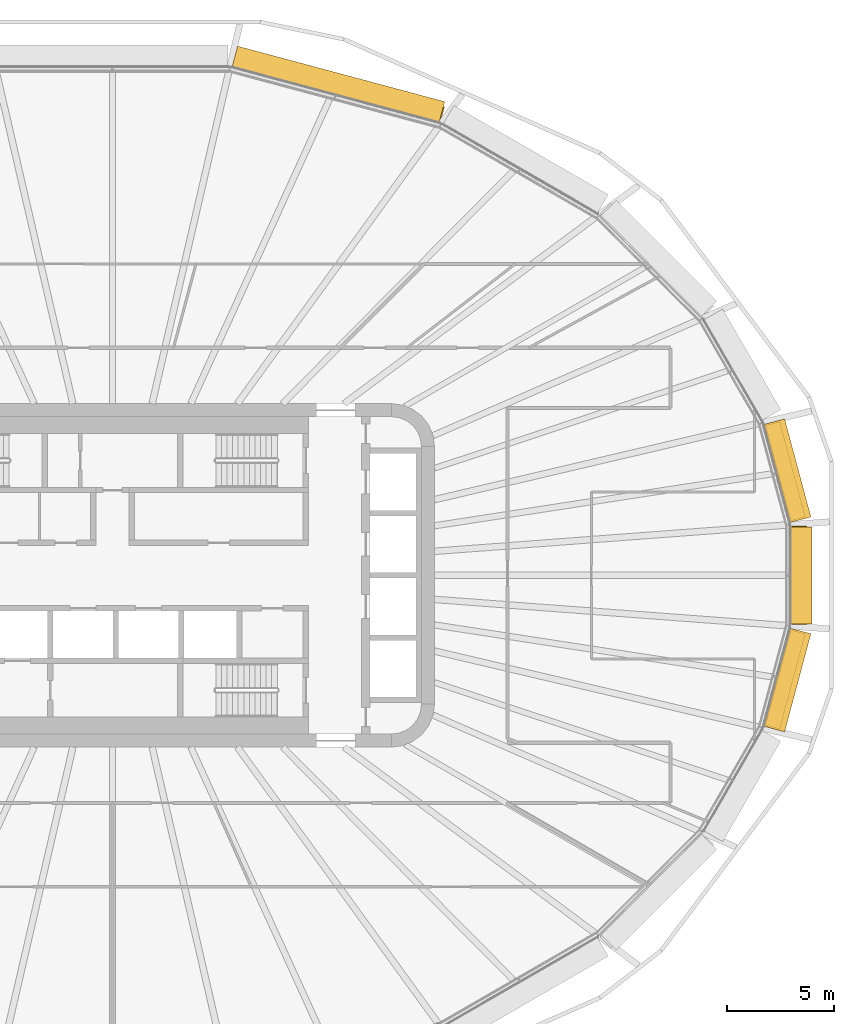
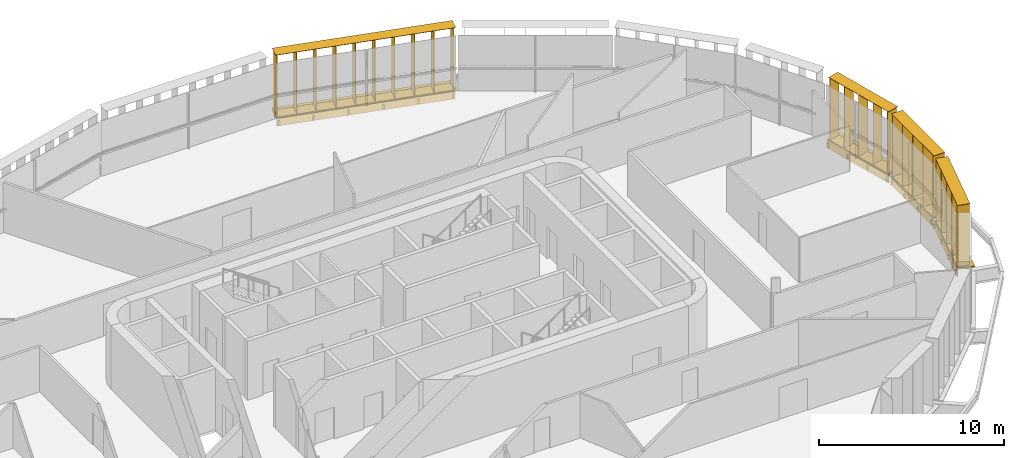
# One storey, part 25 of 25: 8 shading devices.
"""IFC4 building model written with IfcOpenShell, lengths in metres."""

from ifc_helpers import new_model, si_unit, direction, frame, origin, origin_2d, place, context, subcontext, project, spatial, rectangle, extrude, material, type_object, element, save


model = new_model("IFC4")

# Units and contexts
model_context = context("Model", 3, precision=1e-05, world=origin(), true_north=direction((0.0, 1.0)))
body_context = subcontext(model_context, "Body", "Model", "MODEL_VIEW")
ifc_project = project(units=[si_unit("LENGTHUNIT", "METRE"), si_unit("AREAUNIT", "SQUARE_METRE"), si_unit("VOLUMEUNIT", "CUBIC_METRE"), si_unit("PLANEANGLEUNIT", "RADIAN"), si_unit("MASSUNIT", "GRAM", prefix="KILO")], contexts=[model_context])

# Site, building, storey
site_placement = place(None, origin())
site = spatial("IfcSite", under=ifc_project, at=site_placement, CompositionType="ELEMENT")
building_placement = place(site_placement, origin())
building = spatial("IfcBuilding", under=site, at=building_placement, Name="Sahrelin Media Tower", CompositionType="ELEMENT")
storey_placement = place(building_placement, frame((0.0, 0.0, 135.60009765625)))
storey = spatial("IfcBuildingStorey", under=building, at=storey_placement, Name="L27", CompositionType="ELEMENT", Elevation=135.60009765625)

# Shading devices
ifc_material = material(Name="Champagne anodised aluminium 6063-T6", Category="aluminium")
shading_device_type_1 = type_object("IfcShadingDeviceType", Name="Fin cassette", PredefinedType="USERDEFINED", material=ifc_material)
placement_1 = place(storey_placement, frame((31.57861328125, 0.0, 0.0), z_axis=(0.0, 0.0, 1.0), x_axis=(0.0, -1.0, 0.0)))
element("IfcShadingDevice", 1, at=placement_1, inside=storey, type_object=shading_device_type_1, Name="L27:FIN:L27-00", ObjectType="FIN", PredefinedType="USERDEFINED", context=body_context, shape_type="SweptSolid", body=[
    extrude(rectangle(XDim=4.60009765625, YDim=0.699951171875, at=origin_2d()), frame((0.0, 0.419921875, 0.0)), (0.0, 0.0, 1.0), 0.02001953125),
    extrude(rectangle(XDim=4.60009765625, YDim=0.699951171875, at=origin_2d()), frame((0.0, 0.419921875, 4.10009765625)), (0.0, 0.0, 1.0), 0.02001953125),
    extrude(rectangle(XDim=0.02001953125, YDim=0.699951171875, at=origin_2d()), frame((-2.199951171875, 0.419921875, 0.010009765625), z_axis=(0.0, 0.0, 1.0), x_axis=(1.0, 0.0, 0.0)), (0.0, 0.0, 1.0), 4.10009765625),
    extrude(rectangle(XDim=0.02001953125, YDim=0.699951171875, at=origin_2d()), frame((-1.10009765625, 0.419921875, 0.010009765625), z_axis=(0.0, 0.0, 1.0), x_axis=(1.0, 0.0, 0.0)), (0.0, 0.0, 1.0), 4.10009765625),
    extrude(rectangle(XDim=0.02001953125, YDim=0.699951171875, at=origin_2d()), frame((0.0, 0.419921875, 0.010009765625), z_axis=(0.0, 0.0, 1.0), x_axis=(1.0, 0.0, 0.0)), (0.0, 0.0, 1.0), 4.10009765625),
    extrude(rectangle(XDim=0.02001953125, YDim=0.699951171875, at=origin_2d()), frame((1.10009765625, 0.419921875, 0.010009765625), z_axis=(0.0, 0.0, 1.0), x_axis=(1.0, 0.0, 0.0)), (0.0, 0.0, 1.0), 4.10009765625),
    extrude(rectangle(XDim=0.02001953125, YDim=0.699951171875, at=origin_2d()), frame((2.199951171875, 0.419921875, 0.010009765625), z_axis=(0.0, 0.0, 1.0), x_axis=(1.0, 0.0, 0.0)), (0.0, 0.0, 1.0), 4.10009765625),
])
placement_2 = place(storey_placement, frame((30.940185546875, 4.7412109375, 0.0), z_axis=(0.0, 0.0, 1.0), x_axis=(0.258807731996, -0.965928857556, 0.0)))
element("IfcShadingDevice", 2, at=placement_2, inside=storey, type_object=shading_device_type_1, Name="L27:FIN:L27-01", ObjectType="FIN", PredefinedType="USERDEFINED", context=body_context, shape_type="SweptSolid", body=[
    extrude(rectangle(XDim=4.60009765625, YDim=0.699951171875, at=origin_2d()), frame((0.0, 0.419921875, 0.0)), (0.0, 0.0, 1.0), 0.02001953125),
    extrude(rectangle(XDim=4.60009765625, YDim=0.699951171875, at=origin_2d()), frame((0.0, 0.419921875, 4.10009765625)), (0.0, 0.0, 1.0), 0.02001953125),
    extrude(rectangle(XDim=0.02001953125, YDim=0.699951171875, at=origin_2d()), frame((-2.199951171875, 0.419921875, 0.010009765625), z_axis=(0.0, 0.0, 1.0), x_axis=(1.0, 0.0, 0.0)), (0.0, 0.0, 1.0), 4.10009765625),
    extrude(rectangle(XDim=0.02001953125, YDim=0.699951171875, at=origin_2d()), frame((-1.10009765625, 0.419921875, 0.010009765625), z_axis=(0.0, 0.0, 1.0), x_axis=(1.0, 0.0, 0.0)), (0.0, 0.0, 1.0), 4.10009765625),
    extrude(rectangle(XDim=0.02001953125, YDim=0.699951171875, at=origin_2d()), frame((0.0, 0.419921875, 0.010009765625), z_axis=(0.0, 0.0, 1.0), x_axis=(1.0, 0.0, 0.0)), (0.0, 0.0, 1.0), 4.10009765625),
    extrude(rectangle(XDim=0.02001953125, YDim=0.699951171875, at=origin_2d()), frame((1.10009765625, 0.419921875, 0.010009765625), z_axis=(0.0, 0.0, 1.0), x_axis=(1.0, 0.0, 0.0)), (0.0, 0.0, 1.0), 4.10009765625),
    extrude(rectangle(XDim=0.02001953125, YDim=0.699951171875, at=origin_2d()), frame((2.199951171875, 0.419921875, 0.010009765625), z_axis=(0.0, 0.0, 1.0), x_axis=(1.0, 0.0, 0.0)), (0.0, 0.0, 1.0), 4.10009765625),
])
placement_3 = place(storey_placement, frame((10.389404296875, 22.377197265625, 0.0), z_axis=(0.0, 0.0, 1.0), x_axis=(0.965928857556, -0.258807731996, 0.0)))
element("IfcShadingDevice", 3, at=placement_3, inside=storey, type_object=shading_device_type_1, Name="L27:FIN:L27-05", ObjectType="FIN", PredefinedType="USERDEFINED", context=body_context, shape_type="SweptSolid", body=[
    extrude(rectangle(XDim=10.10009765625, YDim=0.699951171875, at=origin_2d()), frame((0.0, 0.419921875, 0.0)), (0.0, 0.0, 1.0), 0.02001953125),
    extrude(rectangle(XDim=10.10009765625, YDim=0.699951171875, at=origin_2d()), frame((0.0, 0.419921875, 4.10009765625)), (0.0, 0.0, 1.0), 0.02001953125),
    extrude(rectangle(XDim=0.02001953125, YDim=0.699951171875, at=origin_2d()), frame((-4.949951171875, 0.419921875, 0.010009765625), z_axis=(0.0, 0.0, 1.0), x_axis=(1.0, 0.0, 0.0)), (0.0, 0.0, 1.0), 4.10009765625),
    extrude(rectangle(XDim=0.02001953125, YDim=0.699951171875, at=origin_2d()), frame((-3.85009765625, 0.419921875, 0.010009765625), z_axis=(0.0, 0.0, 1.0), x_axis=(1.0, 0.0, 0.0)), (0.0, 0.0, 1.0), 4.10009765625),
    extrude(rectangle(XDim=0.02001953125, YDim=0.699951171875, at=origin_2d()), frame((-2.75, 0.419921875, 0.010009765625), z_axis=(0.0, 0.0, 1.0), x_axis=(1.0, 0.0, 0.0)), (0.0, 0.0, 1.0), 4.10009765625),
    extrude(rectangle(XDim=0.02001953125, YDim=0.699951171875, at=origin_2d()), frame((-1.64990234375, 0.419921875, 0.010009765625), z_axis=(0.0, 0.0, 1.0), x_axis=(1.0, 0.0, 0.0)), (0.0, 0.0, 1.0), 4.10009765625),
    extrude(rectangle(XDim=0.02001953125, YDim=0.699951171875, at=origin_2d()), frame((-0.550048828125, 0.419921875, 0.010009765625), z_axis=(0.0, 0.0, 1.0), x_axis=(1.0, 0.0, 0.0)), (0.0, 0.0, 1.0), 4.10009765625),
    extrude(rectangle(XDim=0.02001953125, YDim=0.699951171875, at=origin_2d()), frame((0.550048828125, 0.419921875, 0.010009765625), z_axis=(0.0, 0.0, 1.0), x_axis=(1.0, 0.0, 0.0)), (0.0, 0.0, 1.0), 4.10009765625),
    extrude(rectangle(XDim=0.02001953125, YDim=0.699951171875, at=origin_2d()), frame((1.64990234375, 0.419921875, 0.010009765625), z_axis=(0.0, 0.0, 1.0), x_axis=(1.0, 0.0, 0.0)), (0.0, 0.0, 1.0), 4.10009765625),
    extrude(rectangle(XDim=0.02001953125, YDim=0.699951171875, at=origin_2d()), frame((2.75, 0.419921875, 0.010009765625), z_axis=(0.0, 0.0, 1.0), x_axis=(1.0, 0.0, 0.0)), (0.0, 0.0, 1.0), 4.10009765625),
    extrude(rectangle(XDim=0.02001953125, YDim=0.699951171875, at=origin_2d()), frame((3.85009765625, 0.419921875, 0.010009765625), z_axis=(0.0, 0.0, 1.0), x_axis=(1.0, 0.0, 0.0)), (0.0, 0.0, 1.0), 4.10009765625),
    extrude(rectangle(XDim=0.02001953125, YDim=0.699951171875, at=origin_2d()), frame((4.949951171875, 0.419921875, 0.010009765625), z_axis=(0.0, 0.0, 1.0), x_axis=(1.0, 0.0, 0.0)), (0.0, 0.0, 1.0), 4.10009765625),
])
placement_4 = place(storey_placement, frame((30.940185546875, -4.7412109375, 0.0), z_axis=(0.0, 0.0, 1.0), x_axis=(-0.258807731996, -0.965928857556, 0.0)))
element("IfcShadingDevice", 4, at=placement_4, inside=storey, type_object=shading_device_type_1, Name="L27:FIN:L27-23", ObjectType="FIN", PredefinedType="USERDEFINED", context=body_context, shape_type="SweptSolid", body=[
    extrude(rectangle(XDim=4.60009765625, YDim=0.699951171875, at=origin_2d()), frame((0.0, 0.419921875, 0.0)), (0.0, 0.0, 1.0), 0.02001953125),
    extrude(rectangle(XDim=4.60009765625, YDim=0.699951171875, at=origin_2d()), frame((0.0, 0.419921875, 4.10009765625)), (0.0, 0.0, 1.0), 0.02001953125),
    extrude(rectangle(XDim=0.02001953125, YDim=0.699951171875, at=origin_2d()), frame((-2.199951171875, 0.419921875, 0.010009765625), z_axis=(0.0, 0.0, 1.0), x_axis=(1.0, 0.0, 0.0)), (0.0, 0.0, 1.0), 4.10009765625),
    extrude(rectangle(XDim=0.02001953125, YDim=0.699951171875, at=origin_2d()), frame((-1.10009765625, 0.419921875, 0.010009765625), z_axis=(0.0, 0.0, 1.0), x_axis=(1.0, 0.0, 0.0)), (0.0, 0.0, 1.0), 4.10009765625),
    extrude(rectangle(XDim=0.02001953125, YDim=0.699951171875, at=origin_2d()), frame((0.0, 0.419921875, 0.010009765625), z_axis=(0.0, 0.0, 1.0), x_axis=(1.0, 0.0, 0.0)), (0.0, 0.0, 1.0), 4.10009765625),
    extrude(rectangle(XDim=0.02001953125, YDim=0.699951171875, at=origin_2d()), frame((1.10009765625, 0.419921875, 0.010009765625), z_axis=(0.0, 0.0, 1.0), x_axis=(1.0, 0.0, 0.0)), (0.0, 0.0, 1.0), 4.10009765625),
    extrude(rectangle(XDim=0.02001953125, YDim=0.699951171875, at=origin_2d()), frame((2.199951171875, 0.419921875, 0.010009765625), z_axis=(0.0, 0.0, 1.0), x_axis=(1.0, 0.0, 0.0)), (0.0, 0.0, 1.0), 4.10009765625),
])
shading_device_type_2 = type_object("IfcShadingDeviceType", Name="Sunshade band", PredefinedType="USERDEFINED", material=ifc_material)
element("IfcShadingDevice", 5, at=placement_1, inside=storey, type_object=shading_device_type_2, Name="L27:SUN:L27-00", ObjectType="SUNSHADE", PredefinedType="USERDEFINED", context=body_context, shape_type="SweptSolid", body=[
    extrude(rectangle(XDim=4.51708984375, YDim=0.050048828125, at=origin_2d()), frame((0.0, 0.044921875, -0.55126953125)), (0.0, 0.0, 1.0), 0.471435546875),
    extrude(rectangle(XDim=4.51708984375, YDim=1.0, at=origin_2d()), frame((0.0, 0.52001953125, -0.080078125)), (0.0, 0.0, 1.0), 0.080078125),
    extrude(rectangle(XDim=0.10009765625, YDim=0.074951171875, at=origin_2d()), frame((-2.158447265625, -0.017578125, -0.47021484375)), (0.0, 0.0, 1.0), 0.300048828125),
    extrude(rectangle(XDim=0.10009765625, YDim=0.074951171875, at=origin_2d()), frame((-0.719482421875, -0.017578125, -0.47021484375)), (0.0, 0.0, 1.0), 0.300048828125),
    extrude(rectangle(XDim=0.10009765625, YDim=0.074951171875, at=origin_2d()), frame((0.719482421875, -0.017578125, -0.47021484375)), (0.0, 0.0, 1.0), 0.300048828125),
    extrude(rectangle(XDim=0.10009765625, YDim=0.074951171875, at=origin_2d()), frame((2.158447265625, -0.017578125, -0.47021484375)), (0.0, 0.0, 1.0), 0.300048828125),
])
element("IfcShadingDevice", 6, at=placement_2, inside=storey, type_object=shading_device_type_2, Name="L27:SUN:L27-01", ObjectType="SUNSHADE", PredefinedType="USERDEFINED", context=body_context, shape_type="SweptSolid", body=[
    extrude(rectangle(XDim=4.7333984375, YDim=0.050048828125, at=origin_2d()), frame((0.0, 0.044921875, -0.55126953125)), (0.0, 0.0, 1.0), 0.471435546875),
    extrude(rectangle(XDim=4.7333984375, YDim=1.0, at=origin_2d()), frame((0.0, 0.52001953125, -0.080078125)), (0.0, 0.0, 1.0), 0.080078125),
    extrude(rectangle(XDim=0.10009765625, YDim=0.074951171875, at=origin_2d()), frame((-2.2666015625, -0.017578125, -0.47021484375)), (0.0, 0.0, 1.0), 0.300048828125),
    extrude(rectangle(XDim=0.10009765625, YDim=0.074951171875, at=origin_2d()), frame((-0.755615234375, -0.017578125, -0.47021484375)), (0.0, 0.0, 1.0), 0.300048828125),
    extrude(rectangle(XDim=0.10009765625, YDim=0.074951171875, at=origin_2d()), frame((0.755615234375, -0.017578125, -0.47021484375)), (0.0, 0.0, 1.0), 0.300048828125),
    extrude(rectangle(XDim=0.10009765625, YDim=0.074951171875, at=origin_2d()), frame((2.2666015625, -0.017578125, -0.47021484375)), (0.0, 0.0, 1.0), 0.300048828125),
])
element("IfcShadingDevice", 7, at=placement_3, inside=storey, type_object=shading_device_type_2, Name="L27:SUN:L27-05", ObjectType="SUNSHADE", PredefinedType="USERDEFINED", context=body_context, shape_type="SweptSolid", body=[
    extrude(rectangle(XDim=9.98779296875, YDim=0.050048828125, at=origin_2d()), frame((0.0, 0.044921875, -0.55126953125)), (0.0, 0.0, 1.0), 0.471435546875),
    extrude(rectangle(XDim=9.98779296875, YDim=1.0, at=origin_2d()), frame((0.0, 0.52001953125, -0.080078125)), (0.0, 0.0, 1.0), 0.080078125),
    extrude(rectangle(XDim=0.10009765625, YDim=0.074951171875, at=origin_2d()), frame((-4.893798828125, -0.017578125, -0.47021484375)), (0.0, 0.0, 1.0), 0.300048828125),
    extrude(rectangle(XDim=0.10009765625, YDim=0.074951171875, at=origin_2d()), frame((-2.936279296875, -0.017578125, -0.47021484375)), (0.0, 0.0, 1.0), 0.300048828125),
    extrude(rectangle(XDim=0.10009765625, YDim=0.074951171875, at=origin_2d()), frame((-0.978759765625, -0.017578125, -0.47021484375)), (0.0, 0.0, 1.0), 0.300048828125),
    extrude(rectangle(XDim=0.10009765625, YDim=0.074951171875, at=origin_2d()), frame((0.978759765625, -0.017578125, -0.47021484375)), (0.0, 0.0, 1.0), 0.300048828125),
    extrude(rectangle(XDim=0.10009765625, YDim=0.074951171875, at=origin_2d()), frame((2.936279296875, -0.017578125, -0.47021484375)), (0.0, 0.0, 1.0), 0.300048828125),
    extrude(rectangle(XDim=0.10009765625, YDim=0.074951171875, at=origin_2d()), frame((4.893798828125, -0.017578125, -0.47021484375)), (0.0, 0.0, 1.0), 0.300048828125),
])
element("IfcShadingDevice", 8, at=placement_4, inside=storey, type_object=shading_device_type_2, Name="L27:SUN:L27-23", ObjectType="SUNSHADE", PredefinedType="USERDEFINED", context=body_context, shape_type="SweptSolid", body=[
    extrude(rectangle(XDim=4.7333984375, YDim=0.050048828125, at=origin_2d()), frame((0.0, 0.044921875, -0.55126953125)), (0.0, 0.0, 1.0), 0.471435546875),
    extrude(rectangle(XDim=4.7333984375, YDim=1.0, at=origin_2d()), frame((0.0, 0.52001953125, -0.080078125)), (0.0, 0.0, 1.0), 0.080078125),
    extrude(rectangle(XDim=0.10009765625, YDim=0.074951171875, at=origin_2d()), frame((-2.2666015625, -0.017578125, -0.47021484375)), (0.0, 0.0, 1.0), 0.300048828125),
    extrude(rectangle(XDim=0.10009765625, YDim=0.074951171875, at=origin_2d()), frame((-0.755615234375, -0.017578125, -0.47021484375)), (0.0, 0.0, 1.0), 0.300048828125),
    extrude(rectangle(XDim=0.10009765625, YDim=0.074951171875, at=origin_2d()), frame((0.755615234375, -0.017578125, -0.47021484375)), (0.0, 0.0, 1.0), 0.300048828125),
    extrude(rectangle(XDim=0.10009765625, YDim=0.074951171875, at=origin_2d()), frame((2.2666015625, -0.017578125, -0.47021484375)), (0.0, 0.0, 1.0), 0.300048828125),
])

save(model, "model.ifc")
